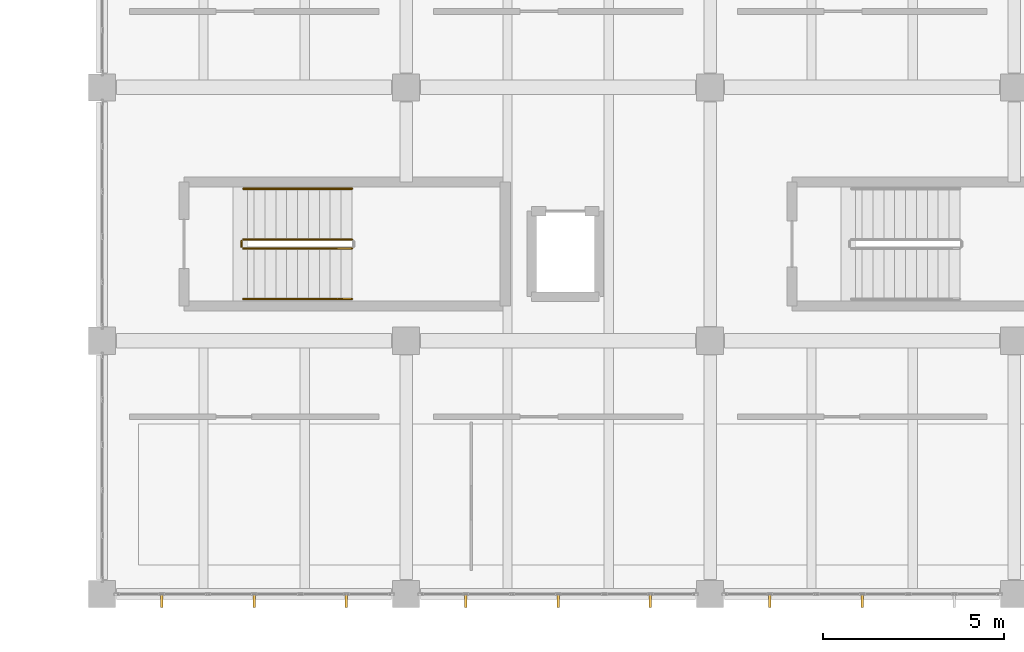
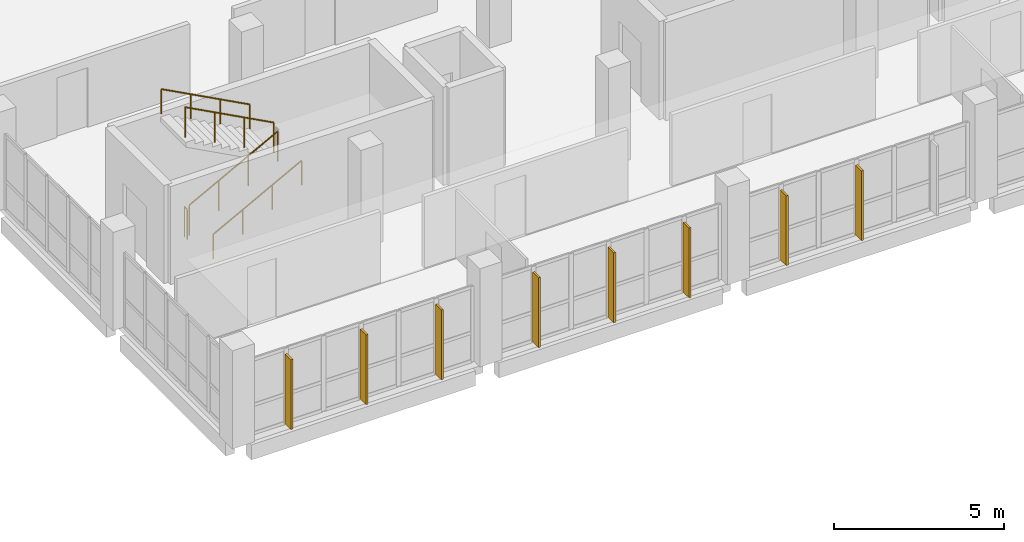
# One storey, part 86 of 95: 8 shading devices, 5 railings.
"""IFC4 building model written with IfcOpenShell, lengths in metres."""

from ifc_helpers import new_model, si_unit, direction, frame, origin, origin_2d, place, context, subcontext, project, spatial, rectangle, circle, extrude, material, type_object, element, save


model = new_model("IFC4")

# Units and contexts
model_context = context("Model", 3, precision=1e-05, world=origin(), true_north=direction((0.0, 1.0)))
body_context = subcontext(model_context, "Body", "Model", "MODEL_VIEW")
ifc_project = project(units=[si_unit("LENGTHUNIT", "METRE"), si_unit("AREAUNIT", "SQUARE_METRE"), si_unit("VOLUMEUNIT", "CUBIC_METRE"), si_unit("PLANEANGLEUNIT", "RADIAN"), si_unit("MASSUNIT", "GRAM", prefix="KILO"), si_unit("THERMODYNAMICTEMPERATUREUNIT", "KELVIN"), si_unit("POWERUNIT", "WATT")], contexts=[model_context])

# Site, building, storey
site_placement = place(None, origin())
site = spatial("IfcSite", under=ifc_project, at=site_placement, CompositionType="ELEMENT")
building_placement = place(site_placement, origin())
building = spatial("IfcBuilding", under=site, at=building_placement, Name="Mavoryth Pier Ferry Terminal", CompositionType="ELEMENT")
storey_placement = place(building_placement, frame((0.0, 0.0, 9.60009765625)))
storey = spatial("IfcBuildingStorey", under=building, at=storey_placement, Name="L02", CompositionType="ELEMENT", Elevation=9.60009765625)

# Shading devices
ifc_material_1 = material(Name="Anodised Aluminium Solar-Shading Fin", Category="aluminium")
shading_device_type = type_object("IfcShadingDeviceType", Name="Fin-BriseSoleil-350x70x2500", PredefinedType="SHUTTER", material=ifc_material_1)
for number, where, z_axis, x_axis, name in (
    (1, (43.64990234375, -0.198974609375, 0.0), (0.0, 0.0, 1.0), (1.0, 0.0, 0.0), "Solar Shading Fin 100"),
    (2, (46.199951171875, -0.198974609375, 0.0), (0.0, 0.0, 1.0), (1.0, 0.0, 0.0), "Solar Shading Fin 101"),
    (3, (48.75, -0.198974609375, 0.0), (0.0, 0.0, 1.0), (1.0, 0.0, 0.0), "Solar Shading Fin 102"),
    (4, (52.050048828125, -0.198974609375, 0.0), (0.0, 0.0, 1.0), (1.0, 0.0, 0.0), "Solar Shading Fin 103"),
    (5, (54.60009765625, -0.198974609375, 0.0), (0.0, 0.0, 1.0), (1.0, 0.0, 0.0), "Solar Shading Fin 104"),
    (6, (57.14990234375, -0.198974609375, 0.0), (0.0, 0.0, 1.0), (1.0, 0.0, 0.0), "Solar Shading Fin 105"),
    (7, (60.449951171875, -0.198974609375, 0.0), (0.0, 0.0, 1.0), (1.0, 0.0, 0.0), "Solar Shading Fin 106"),
    (8, (63.0, -0.198974609375, 0.0), (0.0, 0.0, 1.0), (1.0, 0.0, 0.0), "Solar Shading Fin 107"),
):
    element("IfcShadingDevice", number, at=place(storey_placement, frame(where, z_axis=z_axis, x_axis=x_axis)), inside=storey, type_object=shading_device_type, Name=name, PredefinedType="SHUTTER", context=body_context, shape_type="SweptSolid", body=[
        extrude(rectangle(XDim=0.070068359375, YDim=0.35009765625, at=origin_2d()), origin(), (0.0, 0.0, 1.0), 2.5),
    ])

# Railings
ifc_material_2 = material(Name="Painted Galvanised Steel Balustrade", Category="steel")
railing_type_1 = type_object("IfcRailingType", Name="Guard-Stair-Steel1100", PredefinedType="GUARDRAIL", material=ifc_material_2)
railing_1_placement = place(storey_placement, frame((45.89990234375, 9.550048828125, 0.159912109375)))
element("IfcRailing", 9, at=railing_1_placement, inside=storey, type_object=railing_type_1, Name="L02 ST11 stair guard 1", PredefinedType="GUARDRAIL", context=body_context, shape_type="SweptSolid", body=[
    extrude(circle(Radius=0.02392578125, at=origin_2d()), frame((0.0, 0.0, 1.076171875), z_axis=(0.882341014787, 0.0, 0.470610596591), x_axis=(0.0, 1.0, 0.0)), (0.0, 0.0, 1.0), 3.400146484375),
    extrude(circle(Radius=0.02099609375, at=origin_2d()), origin(), (0.0, 0.0, 1.0), 1.052001953125),
    extrude(circle(Radius=0.02099609375, at=origin_2d()), frame((1.0, 0.0, 0.533447265625)), (0.0, 0.0, 1.0), 1.052001953125),
    extrude(circle(Radius=0.02099609375, at=origin_2d()), frame((2.0, 0.0, 1.066650390625)), (0.0, 0.0, 1.0), 1.052001953125),
    extrude(circle(Radius=0.02099609375, at=origin_2d()), frame((3.0, 0.0, 1.60009765625)), (0.0, 0.0, 1.0), 1.052001953125),
])
railing_2_placement = place(storey_placement, frame((48.89990234375, 9.800048828125, 1.919921875)))
element("IfcRailing", 10, at=railing_2_placement, inside=storey, type_object=railing_type_1, Name="L02 ST11 stair guard 3", PredefinedType="GUARDRAIL", context=body_context, shape_type="SweptSolid", body=[
    extrude(circle(Radius=0.02392578125, at=origin_2d()), frame((0.0, 0.0, 1.076171875), z_axis=(-0.882341014787, 0.0, 0.470610596591), x_axis=(0.0, -1.0, 0.0)), (0.0, 0.0, 1.0), 3.400146484375),
    extrude(circle(Radius=0.02099609375, at=origin_2d()), origin(), (0.0, 0.0, 1.0), 1.052001953125),
    extrude(circle(Radius=0.02099609375, at=origin_2d()), frame((-1.0, 0.0, 0.533447265625)), (0.0, 0.0, 1.0), 1.052001953125),
    extrude(circle(Radius=0.02099609375, at=origin_2d()), frame((-2.0, 0.0, 1.066650390625)), (0.0, 0.0, 1.0), 1.052001953125),
    extrude(circle(Radius=0.02099609375, at=origin_2d()), frame((-3.0, 0.0, 1.60009765625)), (0.0, 0.0, 1.0), 1.052001953125),
])
railing_3_placement = place(storey_placement, frame((45.85009765625, 9.60009765625, 0.0)))
element("IfcRailing", 11, at=railing_3_placement, inside=storey, type_object=railing_type_1, Name="L02 ST11 stair guard 4", PredefinedType="GUARDRAIL", context=body_context, shape_type="SweptSolid", body=[
    extrude(circle(Radius=0.02392578125, at=origin_2d()), frame((0.0, 0.0, 1.076171875), z_axis=(0.0, 1.0, 0.0), x_axis=(-1.0, 0.0, 0.0)), (0.0, 0.0, 1.0), 0.14990234375),
    extrude(circle(Radius=0.02099609375, at=origin_2d()), origin(), (0.0, 0.0, 1.0), 1.052001953125),
    extrude(circle(Radius=0.02099609375, at=origin_2d()), frame((0.0, 0.14990234375, 0.0)), (0.0, 0.0, 1.0), 1.052001953125),
])
ifc_material_3 = material(Name="Brushed Stainless Steel Tubular Handrail", Category="steel")
railing_type_2 = type_object("IfcRailingType", Name="Handrail-Stair-SS900", PredefinedType="HANDRAIL", material=ifc_material_3)
railing_4_placement = place(storey_placement, frame((45.89990234375, 8.14990234375, 0.159912109375)))
element("IfcRailing", 12, at=railing_4_placement, inside=storey, type_object=railing_type_2, Name="L02 ST11 stair handrail 1", PredefinedType="HANDRAIL", context=body_context, shape_type="SweptSolid", body=[
    extrude(circle(Radius=0.02392578125, at=origin_2d()), frame((0.0, 0.0, 0.8759765625), z_axis=(0.882341014787, 0.0, 0.470610596591), x_axis=(0.0, 1.0, 0.0)), (0.0, 0.0, 1.0), 3.400146484375),
    extrude(circle(Radius=0.02099609375, at=origin_2d()), origin(), (0.0, 0.0, 1.0), 0.851806640625),
    extrude(circle(Radius=0.02099609375, at=origin_2d()), frame((1.0, 0.0, 0.533447265625)), (0.0, 0.0, 1.0), 0.851806640625),
    extrude(circle(Radius=0.02099609375, at=origin_2d()), frame((2.0, 0.0, 1.066650390625)), (0.0, 0.0, 1.0), 0.851806640625),
    extrude(circle(Radius=0.02099609375, at=origin_2d()), frame((3.0, 0.0, 1.60009765625)), (0.0, 0.0, 1.0), 0.851806640625),
])
railing_5_placement = place(storey_placement, frame((48.89990234375, 11.199951171875, 1.919921875)))
element("IfcRailing", 13, at=railing_5_placement, inside=storey, type_object=railing_type_2, Name="L02 ST11 stair handrail 2", PredefinedType="HANDRAIL", context=body_context, shape_type="SweptSolid", body=[
    extrude(circle(Radius=0.02392578125, at=origin_2d()), frame((0.0, 0.0, 0.8759765625), z_axis=(-0.882341014787, 0.0, 0.470610596591), x_axis=(0.0, -1.0, 0.0)), (0.0, 0.0, 1.0), 3.400146484375),
    extrude(circle(Radius=0.02099609375, at=origin_2d()), origin(), (0.0, 0.0, 1.0), 0.851806640625),
    extrude(circle(Radius=0.02099609375, at=origin_2d()), frame((-1.0, 0.0, 0.533447265625)), (0.0, 0.0, 1.0), 0.851806640625),
    extrude(circle(Radius=0.02099609375, at=origin_2d()), frame((-2.0, 0.0, 1.066650390625)), (0.0, 0.0, 1.0), 0.851806640625),
    extrude(circle(Radius=0.02099609375, at=origin_2d()), frame((-3.0, 0.0, 1.60009765625)), (0.0, 0.0, 1.0), 0.851806640625),
])

save(model, "model.ifc")
